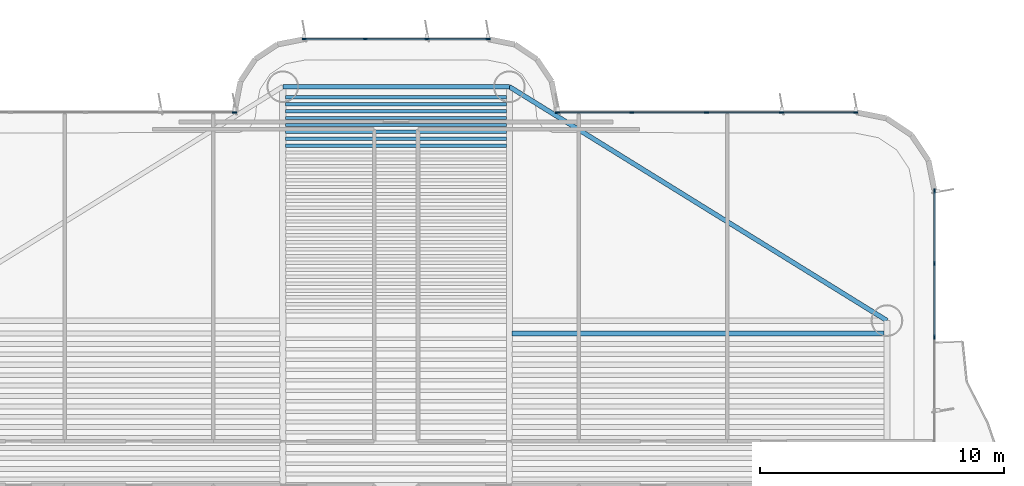
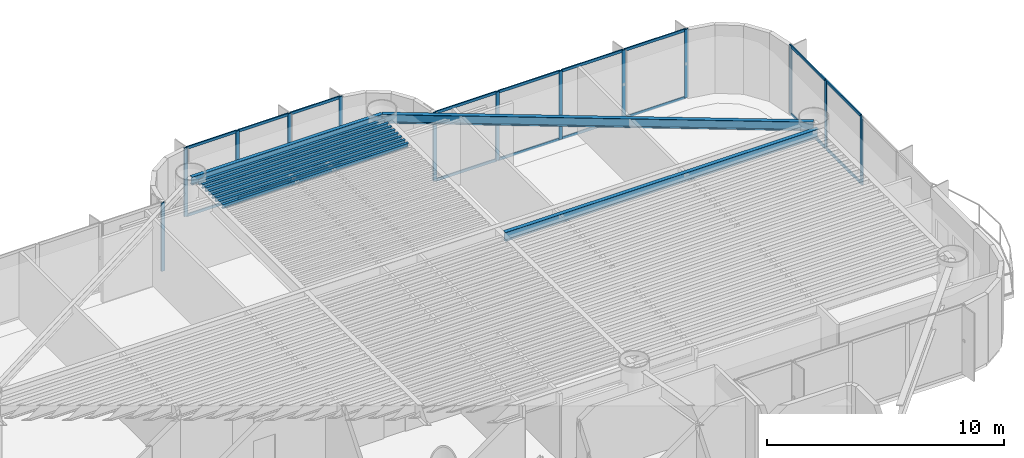
# One storey, part 7 of 16: 31 members, 11 beams, 4 elements without a shape of their own.
"""IFC4 building model written with IfcOpenShell, lengths in metres."""

from ifc_helpers import new_model, si_unit, direction, frame, origin, origin_2d, place, context, subcontext, project, spatial, rectangle, i_section, extrude, source, transform, mapped, material, layer, layer_set, material_profile, profile_set, type_object, element, aggregate, save


model = new_model("IFC4")

# Units and contexts
model_context = context("Model", 3, precision=1e-05, world=origin(), true_north=direction((0.0, 1.0)))
body_context = subcontext(model_context, "Body", "Model", "MODEL_VIEW")
ifc_project = project(units=[si_unit("LENGTHUNIT", "METRE"), si_unit("AREAUNIT", "SQUARE_METRE"), si_unit("VOLUMEUNIT", "CUBIC_METRE"), si_unit("PLANEANGLEUNIT", "RADIAN"), si_unit("MASSUNIT", "GRAM", prefix="KILO")], contexts=[model_context])

# Site, building, storey
site_placement = place(None, origin())
site = spatial("IfcSite", under=ifc_project, at=site_placement, CompositionType="ELEMENT")
building_placement = place(site_placement, origin())
building = spatial("IfcBuilding", under=site, at=building_placement, Name="Brelvock Crest Care Tower", CompositionType="ELEMENT")
storey_placement = place(building_placement, frame((0.0, 0.0, 108.719970703125)))
storey = spatial("IfcBuildingStorey", under=building, at=storey_placement, Name="L27", CompositionType="ELEMENT", Elevation=108.719970703125)

# Beams
ifc_material_1 = material(Name="Steel Grade 350", Category="steel")
ifc_material_profile_1 = material_profile(ifc_material_1, i_section(OverallWidth=0.177978515625, OverallDepth=0.406005859375, WebThickness=0.0078125, FlangeThickness=0.0126953125, FilletRadius=0.011474609375, at=origin_2d()), Name="410UB59.7")
ifc_profile_set_1 = profile_set([ifc_material_profile_1], Name="Steel Grade 350")
beam_type_1 = type_object("IfcBeamType", Name="BM-SP1", PredefinedType="SPANDREL", material=ifc_profile_set_1)
shared_shape_1 = source(origin(), body_context, "Body", "SweptSolid", [
    extrude(i_section(OverallWidth=0.177978515625, OverallDepth=0.406005859375, WebThickness=0.0078125, FlangeThickness=0.0126953125, FilletRadius=0.011474609375, at=origin_2d()), origin(), (0.0, 0.0, 1.0), 9.2998046875),
])
beam_1_placement = place(storey_placement, frame((31.35009765625, 48.449951171875, 3.3271484375), z_axis=(1.0, 0.0, 0.0), x_axis=(0.0, 1.0, 0.0)))
element("IfcBeam", 1, at=beam_1_placement, inside=storey, type_object=beam_type_1, Name="BM-TWR-L27-08", PredefinedType="SPANDREL", context=body_context, shape_type="MappedRepresentation", body=[
    mapped(shared_shape_1, transform((0.0, 0.0, 0.0), x_axis=(1.0, 0.0, 0.0), y_axis=(0.0, 1.0, 0.0), z_axis=(0.0, 0.0, 1.0), scale=1.0)),
])
ifc_material_profile_2 = material_profile(ifc_material_1, i_section(OverallWidth=0.134033203125, OverallDepth=0.20703125, WebThickness=0.00634765625, FlangeThickness=0.009521484375, FilletRadius=0.0087890625, at=origin_2d()), Name="200UB29.8")
ifc_profile_set_2 = profile_set([ifc_material_profile_2], Name="Steel Grade 350")
beam_type_2 = type_object("IfcBeamType", Name="BM-J4", PredefinedType="JOIST", material=ifc_profile_set_2)
shared_shape_2 = source(origin(), body_context, "Body", "SweptSolid", [
    extrude(i_section(OverallWidth=0.134033203125, OverallDepth=0.20703125, WebThickness=0.00634765625, FlangeThickness=0.009521484375, FilletRadius=0.0087890625, at=origin_2d()), origin(), (0.0, 0.0, 1.0), 9.06982421875),
])
for number, where, z_axis, x_axis, name in (
    (2, (31.465087890625, 46.03076171875, 3.426513671875), (1.0, 0.0, 0.0), (0.0, 1.0, 0.0), "BM-JN-L27-25"),
    (3, (31.465087890625, 46.31396484375, 3.426513671875), (1.0, 0.0, 0.0), (0.0, 1.0, 0.0), "BM-JN-L27-26"),
    (4, (31.465087890625, 46.59716796875, 3.426513671875), (1.0, 0.0, 0.0), (0.0, 1.0, 0.0), "BM-JN-L27-27"),
    (5, (31.465087890625, 46.88037109375, 3.426513671875), (1.0, 0.0, 0.0), (0.0, 1.0, 0.0), "BM-JN-L27-28"),
    (6, (31.465087890625, 47.16357421875, 3.426513671875), (1.0, 0.0, 0.0), (0.0, 1.0, 0.0), "BM-JN-L27-29"),
    (7, (31.465087890625, 47.44677734375, 3.426513671875), (1.0, 0.0, 0.0), (0.0, 1.0, 0.0), "BM-JN-L27-30"),
    (8, (31.465087890625, 47.72998046875, 3.426513671875), (1.0, 0.0, 0.0), (0.0, 1.0, 0.0), "BM-JN-L27-31"),
    (9, (31.465087890625, 48.01318359375, 3.426513671875), (1.0, 0.0, 0.0), (0.0, 1.0, 0.0), "BM-JN-L27-32"),
):
    element("IfcBeam", number, at=place(storey_placement, frame(where, z_axis=z_axis, x_axis=x_axis)), inside=storey, type_object=beam_type_2, Name=name, PredefinedType="JOIST", context=body_context, shape_type="MappedRepresentation", body=[
        mapped(shared_shape_2, transform((0.0, 0.0, 0.0), x_axis=(1.0, 0.0, 0.0), y_axis=(0.0, 1.0, 0.0), z_axis=(0.0, 0.0, 1.0), scale=1.0)),
    ])
ifc_material_profile_3 = material_profile(ifc_material_1, i_section(OverallWidth=0.19091796875, OverallDepth=0.4599609375, WebThickness=0.010009765625, FlangeThickness=0.01611328125, FilletRadius=0.011474609375, at=origin_2d()), Name="460UB82.1")
ifc_profile_set_3 = profile_set([ifc_material_profile_3], Name="Steel Grade 350")
beam_type_3 = type_object("IfcBeamType", Name="BM-G3", PredefinedType="BEAM", material=ifc_profile_set_3)
shared_shape_3 = source(origin(), body_context, "Body", "SweptSolid", [
    extrude(i_section(OverallWidth=0.19091796875, OverallDepth=0.4599609375, WebThickness=0.010009765625, FlangeThickness=0.01611328125, FilletRadius=0.011474609375, at=origin_2d()), origin(), (0.0, 0.0, 1.0), 15.27001953125),
])
beam_2_placement = place(storey_placement, frame((40.764892578125, 38.317626953125, 3.300048828125), z_axis=(1.0, 0.0, 0.0), x_axis=(0.0, 1.0, 0.0)))
element("IfcBeam", 10, at=beam_2_placement, inside=storey, type_object=beam_type_3, Name="BM-JE-L27-26", PredefinedType="BEAM", context=body_context, shape_type="MappedRepresentation", body=[
    mapped(shared_shape_3, transform((0.0, 0.0, 0.0), x_axis=(1.0, 0.0, 0.0), y_axis=(0.0, 1.0, 0.0), z_axis=(0.0, 0.0, 1.0), scale=1.0)),
])
ifc_material_profile_4 = material_profile(ifc_material_1, i_section(OverallWidth=0.19091796875, OverallDepth=0.4599609375, WebThickness=0.010009765625, FlangeThickness=0.01611328125, FilletRadius=0.011474609375, at=origin_2d()), Name="460UB82.1")
ifc_profile_set_4 = profile_set([ifc_material_profile_4], Name="Steel Grade 350")
beam_type_4 = type_object("IfcBeamType", Name="BM-SP2", PredefinedType="SPANDREL", material=ifc_profile_set_4)
shared_shape_4 = source(origin(), body_context, "Body", "SweptSolid", [
    extrude(i_section(OverallWidth=0.19091796875, OverallDepth=0.4599609375, WebThickness=0.010009765625, FlangeThickness=0.01611328125, FilletRadius=0.011474609375, at=origin_2d()), origin(), (0.0, 0.0, 1.0), 18.23193359375),
])
beam_3_placement = place(storey_placement, frame((40.64990234375, 48.449951171875, 3.300048828125), z_axis=(0.85015183248, -0.526537616635, 0.0), x_axis=(0.526537616635, 0.85015183248, 0.0)))
element("IfcBeam", 11, at=beam_3_placement, inside=storey, type_object=beam_type_4, Name="BM-TWR-L27-07", PredefinedType="SPANDREL", context=body_context, shape_type="MappedRepresentation", body=[
    mapped(shared_shape_4, transform((0.0, 0.0, 0.0), x_axis=(1.0, 0.0, 0.0), y_axis=(0.0, 1.0, 0.0), z_axis=(0.0, 0.0, 1.0), scale=1.0)),
])

# Curtain wall, member
ifc_material_2 = material(Name="Dark Glass Double Glazed Low-E", Category="glass")
ifc_layer = layer(ifc_material_2, 0.2099609375, Name="CWS-3")
ifc_layer_set = layer_set([ifc_layer], Name="Dark Glass Double Glazed Low-E")
curtain_wall_type = type_object("IfcCurtainWallType", Name="CWS-3", PredefinedType="NOTDEFINED", material=ifc_layer_set)
curtain_wall_1_placement = place(storey_placement, origin())
curtain_wall_1 = element("IfcCurtainWall", 12, at=curtain_wall_1_placement, inside=storey, type_object=curtain_wall_type, Name="L27 Curtain Wall E22", PredefinedType="NOTDEFINED")
ifc_material_3 = material(Name="Aluminium 6063-T6", Category="aluminium")
ifc_material_profile_5 = material_profile(ifc_material_3, rectangle(XDim=0.06005859375, YDim=0.179931640625, at=origin_2d()), Name="ALU60x180")
ifc_profile_set_5 = profile_set([ifc_material_profile_5], Name="Aluminium 6063-T6")
member_type_1 = type_object("IfcMemberType", Name="CWM-2", PredefinedType="MULLION", material=ifc_profile_set_5)
shared_shape_5 = source(origin(), body_context, "Body", "SweptSolid", [
    extrude(rectangle(XDim=0.06005859375, YDim=0.179931640625, at=origin_2d()), origin(), (0.0, 0.0, 1.0), 3.530029296875),
])
member_1_placement = place(storey_placement, frame((29.3701171875, 47.39990234375, 0.0), z_axis=(0.0, 0.0, 1.0), x_axis=(0.0, 1.0, 0.0)))
member_1 = element("IfcMember", 13, at=member_1_placement, type_object=member_type_1, Name="CW-3 mullion 5", PredefinedType="MULLION", context=body_context, shape_type="MappedRepresentation", body=[
    mapped(shared_shape_5, transform((0.0, 0.0, 0.0), x_axis=(1.0, 0.0, 0.0), y_axis=(0.0, 1.0, 0.0), z_axis=(0.0, 0.0, 1.0), scale=1.0)),
])
aggregate(curtain_wall_1, [member_1])

# Curtain wall, members
curtain_wall_2_placement = place(storey_placement, origin())
curtain_wall_2 = element("IfcCurtainWall", 14, at=curtain_wall_2_placement, inside=storey, type_object=curtain_wall_type, Name="L27 Curtain Wall E28", PredefinedType="NOTDEFINED")
member_2_placement = place(storey_placement, frame((32.22998046875, 50.39990234375, 0.0), z_axis=(0.0, 0.0, 1.0), x_axis=(0.0, 1.0, 0.0)))
member_2 = element("IfcMember", 15, at=member_2_placement, type_object=member_type_1, Name="CW-3 mullion 1", PredefinedType="MULLION", context=body_context, shape_type="MappedRepresentation", body=[
    mapped(shared_shape_5, transform((0.0, 0.0, 0.0), x_axis=(1.0, 0.0, 0.0), y_axis=(0.0, 1.0, 0.0), z_axis=(0.0, 0.0, 1.0), scale=1.0)),
])
member_3_placement = place(storey_placement, frame((34.7333984375, 50.39990234375, 0.0), z_axis=(0.0, 0.0, 1.0), x_axis=(0.0, 1.0, 0.0)))
member_3 = element("IfcMember", 16, at=member_3_placement, type_object=member_type_1, Name="CW-3 mullion 2", PredefinedType="MULLION", context=body_context, shape_type="MappedRepresentation", body=[
    mapped(shared_shape_5, transform((0.0, 0.0, 0.0), x_axis=(1.0, 0.0, 0.0), y_axis=(0.0, 1.0, 0.0), z_axis=(0.0, 0.0, 1.0), scale=1.0)),
])
member_4_placement = place(storey_placement, frame((37.2666015625, 50.39990234375, 0.0), z_axis=(0.0, 0.0, 1.0), x_axis=(0.0, 1.0, 0.0)))
member_4 = element("IfcMember", 17, at=member_4_placement, type_object=member_type_1, Name="CW-3 mullion 3", PredefinedType="MULLION", context=body_context, shape_type="MappedRepresentation", body=[
    mapped(shared_shape_5, transform((0.0, 0.0, 0.0), x_axis=(1.0, 0.0, 0.0), y_axis=(0.0, 1.0, 0.0), z_axis=(0.0, 0.0, 1.0), scale=1.0)),
])
member_5_placement = place(storey_placement, frame((39.77001953125, 50.39990234375, 0.0), z_axis=(0.0, 0.0, 1.0), x_axis=(0.0, 1.0, 0.0)))
member_5 = element("IfcMember", 18, at=member_5_placement, type_object=member_type_1, Name="CW-3 mullion 4", PredefinedType="MULLION", context=body_context, shape_type="MappedRepresentation", body=[
    mapped(shared_shape_5, transform((0.0, 0.0, 0.0), x_axis=(1.0, 0.0, 0.0), y_axis=(0.0, 1.0, 0.0), z_axis=(0.0, 0.0, 1.0), scale=1.0)),
])

curtain_wall_3_placement = place(storey_placement, origin())
curtain_wall_3 = element("IfcCurtainWall", 19, at=curtain_wall_3_placement, inside=storey, type_object=curtain_wall_type, Name="L27 Curtain Wall E34", PredefinedType="NOTDEFINED")
member_6_placement = place(storey_placement, frame((42.6298828125, 47.39990234375, 0.0), z_axis=(0.0, 0.0, 1.0), x_axis=(0.0, 1.0, 0.0)))
member_6 = element("IfcMember", 20, at=member_6_placement, type_object=member_type_1, Name="CW-3 mullion 1", PredefinedType="MULLION", context=body_context, shape_type="MappedRepresentation", body=[
    mapped(shared_shape_5, transform((0.0, 0.0, 0.0), x_axis=(1.0, 0.0, 0.0), y_axis=(0.0, 1.0, 0.0), z_axis=(0.0, 0.0, 1.0), scale=1.0)),
])
member_7_placement = place(storey_placement, frame((45.675048828125, 47.39990234375, 0.0), z_axis=(0.0, 0.0, 1.0), x_axis=(0.0, 1.0, 0.0)))
member_7 = element("IfcMember", 21, at=member_7_placement, type_object=member_type_1, Name="CW-3 mullion 2", PredefinedType="MULLION", context=body_context, shape_type="MappedRepresentation", body=[
    mapped(shared_shape_5, transform((0.0, 0.0, 0.0), x_axis=(1.0, 0.0, 0.0), y_axis=(0.0, 1.0, 0.0), z_axis=(0.0, 0.0, 1.0), scale=1.0)),
])
member_8_placement = place(storey_placement, frame((48.75, 47.39990234375, 0.0), z_axis=(0.0, 0.0, 1.0), x_axis=(0.0, 1.0, 0.0)))
member_8 = element("IfcMember", 22, at=member_8_placement, type_object=member_type_1, Name="CW-3 mullion 3", PredefinedType="MULLION", context=body_context, shape_type="MappedRepresentation", body=[
    mapped(shared_shape_5, transform((0.0, 0.0, 0.0), x_axis=(1.0, 0.0, 0.0), y_axis=(0.0, 1.0, 0.0), z_axis=(0.0, 0.0, 1.0), scale=1.0)),
])
member_9_placement = place(storey_placement, frame((51.824951171875, 47.39990234375, 0.0), z_axis=(0.0, 0.0, 1.0), x_axis=(0.0, 1.0, 0.0)))
member_9 = element("IfcMember", 23, at=member_9_placement, type_object=member_type_1, Name="CW-3 mullion 4", PredefinedType="MULLION", context=body_context, shape_type="MappedRepresentation", body=[
    mapped(shared_shape_5, transform((0.0, 0.0, 0.0), x_axis=(1.0, 0.0, 0.0), y_axis=(0.0, 1.0, 0.0), z_axis=(0.0, 0.0, 1.0), scale=1.0)),
])
member_10_placement = place(storey_placement, frame((54.8701171875, 47.39990234375, 0.0), z_axis=(0.0, 0.0, 1.0), x_axis=(0.0, 1.0, 0.0)))
member_10 = element("IfcMember", 24, at=member_10_placement, type_object=member_type_1, Name="CW-3 mullion 5", PredefinedType="MULLION", context=body_context, shape_type="MappedRepresentation", body=[
    mapped(shared_shape_5, transform((0.0, 0.0, 0.0), x_axis=(1.0, 0.0, 0.0), y_axis=(0.0, 1.0, 0.0), z_axis=(0.0, 0.0, 1.0), scale=1.0)),
])

curtain_wall_4_placement = place(storey_placement, origin())
curtain_wall_4 = element("IfcCurtainWall", 25, at=curtain_wall_4_placement, inside=storey, type_object=curtain_wall_type, Name="L27 Curtain Wall E39A", PredefinedType="NOTDEFINED")
member_11_placement = place(storey_placement, frame((58.10009765625, 44.169921875, 0.0), z_axis=(0.0, 0.0, 1.0), x_axis=(1.0, 0.0, 0.0)))
member_11 = element("IfcMember", 26, at=member_11_placement, type_object=member_type_1, Name="CW-3 mullion 1", PredefinedType="MULLION", context=body_context, shape_type="MappedRepresentation", body=[
    mapped(shared_shape_5, transform((0.0, 0.0, 0.0), x_axis=(1.0, 0.0, 0.0), y_axis=(0.0, 1.0, 0.0), z_axis=(0.0, 0.0, 1.0), scale=1.0)),
])
member_12_placement = place(storey_placement, frame((58.10009765625, 41.1875, 0.0), z_axis=(0.0, 0.0, 1.0), x_axis=(1.0, 0.0, 0.0)))
member_12 = element("IfcMember", 27, at=member_12_placement, type_object=member_type_1, Name="CW-3 mullion 2", PredefinedType="MULLION", context=body_context, shape_type="MappedRepresentation", body=[
    mapped(shared_shape_5, transform((0.0, 0.0, 0.0), x_axis=(1.0, 0.0, 0.0), y_axis=(0.0, 1.0, 0.0), z_axis=(0.0, 0.0, 1.0), scale=1.0)),
])
member_13_placement = place(storey_placement, frame((58.10009765625, 38.175048828125, 0.0), z_axis=(0.0, 0.0, 1.0), x_axis=(1.0, 0.0, 0.0)))
member_13 = element("IfcMember", 28, at=member_13_placement, type_object=member_type_1, Name="CW-3 mullion 3", PredefinedType="MULLION", context=body_context, shape_type="MappedRepresentation", body=[
    mapped(shared_shape_5, transform((0.0, 0.0, 0.0), x_axis=(1.0, 0.0, 0.0), y_axis=(0.0, 1.0, 0.0), z_axis=(0.0, 0.0, 1.0), scale=1.0)),
])
ifc_material_profile_6 = material_profile(ifc_material_3, rectangle(XDim=0.06005859375, YDim=0.139892578125, at=origin_2d()), Name="ALU60x140")
ifc_profile_set_6 = profile_set([ifc_material_profile_6], Name="Aluminium 6063-T6")
member_type_2 = type_object("IfcMemberType", Name="CWT-2", PredefinedType="USERDEFINED", material=ifc_profile_set_6)
shared_shape_6 = source(origin(), body_context, "Body", "SweptSolid", [
    extrude(rectangle(XDim=0.06005859375, YDim=0.139892578125, at=origin_2d()), origin(), (0.0, 0.0, 1.0), 2.952392578125),
])
member_14_placement = place(storey_placement, frame((58.10009765625, 41.157470703125, 0.030029296875), z_axis=(0.0, -1.0, 0.0), x_axis=(1.0, 0.0, 0.0)))
member_14 = element("IfcMember", 29, at=member_14_placement, type_object=member_type_2, Name="CW-3 transom 2.1", ObjectType="TRANSOM", PredefinedType="USERDEFINED", context=body_context, shape_type="MappedRepresentation", body=[
    mapped(shared_shape_6, transform((0.0, 0.0, 0.0), x_axis=(1.0, 0.0, 0.0), y_axis=(0.0, 1.0, 0.0), z_axis=(0.0, 0.0, 1.0), scale=1.0)),
])
member_15_placement = place(storey_placement, frame((58.10009765625, 41.157470703125, 3.5), z_axis=(0.0, -1.0, 0.0), x_axis=(1.0, 0.0, 0.0)))
member_15 = element("IfcMember", 30, at=member_15_placement, type_object=member_type_2, Name="CW-3 transom 2.2", ObjectType="TRANSOM", PredefinedType="USERDEFINED", context=body_context, shape_type="MappedRepresentation", body=[
    mapped(shared_shape_6, transform((0.0, 0.0, 0.0), x_axis=(1.0, 0.0, 0.0), y_axis=(0.0, 1.0, 0.0), z_axis=(0.0, 0.0, 1.0), scale=1.0)),
])
shared_shape_7 = source(origin(), body_context, "Body", "SweptSolid", [
    extrude(rectangle(XDim=0.06005859375, YDim=0.139892578125, at=origin_2d()), origin(), (0.0, 0.0, 1.0), 2.92236328125),
])
member_16_placement = place(storey_placement, frame((58.10009765625, 44.139892578125, 0.030029296875), z_axis=(0.0, -1.0, 0.0), x_axis=(1.0, 0.0, 0.0)))
member_16 = element("IfcMember", 31, at=member_16_placement, type_object=member_type_2, Name="CW-3 transom 1.1", ObjectType="TRANSOM", PredefinedType="USERDEFINED", context=body_context, shape_type="MappedRepresentation", body=[
    mapped(shared_shape_7, transform((0.0, 0.0, 0.0), x_axis=(1.0, 0.0, 0.0), y_axis=(0.0, 1.0, 0.0), z_axis=(0.0, 0.0, 1.0), scale=1.0)),
])
member_17_placement = place(storey_placement, frame((58.10009765625, 44.139892578125, 3.5), z_axis=(0.0, -1.0, 0.0), x_axis=(1.0, 0.0, 0.0)))
member_17 = element("IfcMember", 32, at=member_17_placement, type_object=member_type_2, Name="CW-3 transom 1.2", ObjectType="TRANSOM", PredefinedType="USERDEFINED", context=body_context, shape_type="MappedRepresentation", body=[
    mapped(shared_shape_7, transform((0.0, 0.0, 0.0), x_axis=(1.0, 0.0, 0.0), y_axis=(0.0, 1.0, 0.0), z_axis=(0.0, 0.0, 1.0), scale=1.0)),
])
aggregate(curtain_wall_4, [member_11, member_12, member_13, member_16, member_17, member_14, member_15])

# Member
shared_shape_8 = source(origin(), body_context, "Body", "SweptSolid", [
    extrude(rectangle(XDim=0.06005859375, YDim=0.139892578125, at=origin_2d()), origin(), (0.0, 0.0, 1.0), 2.985107421875),
])
member_18_placement = place(storey_placement, frame((42.659912109375, 47.39990234375, 0.030029296875), z_axis=(1.0, 0.0, 0.0), x_axis=(0.0, 1.0, 0.0)))
member_18 = element("IfcMember", 33, at=member_18_placement, type_object=member_type_2, Name="CW-3 transom 1.1", ObjectType="TRANSOM", PredefinedType="USERDEFINED", context=body_context, shape_type="MappedRepresentation", body=[
    mapped(shared_shape_8, transform((0.0, 0.0, 0.0), x_axis=(1.0, 0.0, 0.0), y_axis=(0.0, 1.0, 0.0), z_axis=(0.0, 0.0, 1.0), scale=1.0)),
])

member_19_placement = place(storey_placement, frame((42.659912109375, 47.39990234375, 3.5), z_axis=(1.0, 0.0, 0.0), x_axis=(0.0, 1.0, 0.0)))
member_19 = element("IfcMember", 34, at=member_19_placement, type_object=member_type_2, Name="CW-3 transom 1.2", ObjectType="TRANSOM", PredefinedType="USERDEFINED", context=body_context, shape_type="MappedRepresentation", body=[
    mapped(shared_shape_8, transform((0.0, 0.0, 0.0), x_axis=(1.0, 0.0, 0.0), y_axis=(0.0, 1.0, 0.0), z_axis=(0.0, 0.0, 1.0), scale=1.0)),
])

member_20_placement = place(storey_placement, frame((51.85498046875, 47.39990234375, 0.030029296875), z_axis=(1.0, 0.0, 0.0), x_axis=(0.0, 1.0, 0.0)))
member_20 = element("IfcMember", 35, at=member_20_placement, type_object=member_type_2, Name="CW-3 transom 4.1", ObjectType="TRANSOM", PredefinedType="USERDEFINED", context=body_context, shape_type="MappedRepresentation", body=[
    mapped(shared_shape_8, transform((0.0, 0.0, 0.0), x_axis=(1.0, 0.0, 0.0), y_axis=(0.0, 1.0, 0.0), z_axis=(0.0, 0.0, 1.0), scale=1.0)),
])

member_21_placement = place(storey_placement, frame((51.85498046875, 47.39990234375, 3.5), z_axis=(1.0, 0.0, 0.0), x_axis=(0.0, 1.0, 0.0)))
member_21 = element("IfcMember", 36, at=member_21_placement, type_object=member_type_2, Name="CW-3 transom 4.2", ObjectType="TRANSOM", PredefinedType="USERDEFINED", context=body_context, shape_type="MappedRepresentation", body=[
    mapped(shared_shape_8, transform((0.0, 0.0, 0.0), x_axis=(1.0, 0.0, 0.0), y_axis=(0.0, 1.0, 0.0), z_axis=(0.0, 0.0, 1.0), scale=1.0)),
])

shared_shape_9 = source(origin(), body_context, "Body", "SweptSolid", [
    extrude(rectangle(XDim=0.06005859375, YDim=0.139892578125, at=origin_2d()), origin(), (0.0, 0.0, 1.0), 3.014892578125),
])
member_22_placement = place(storey_placement, frame((45.705078125, 47.39990234375, 0.030029296875), z_axis=(1.0, 0.0, 0.0), x_axis=(0.0, 1.0, 0.0)))
member_22 = element("IfcMember", 37, at=member_22_placement, type_object=member_type_2, Name="CW-3 transom 2.1", ObjectType="TRANSOM", PredefinedType="USERDEFINED", context=body_context, shape_type="MappedRepresentation", body=[
    mapped(shared_shape_9, transform((0.0, 0.0, 0.0), x_axis=(1.0, 0.0, 0.0), y_axis=(0.0, 1.0, 0.0), z_axis=(0.0, 0.0, 1.0), scale=1.0)),
])

member_23_placement = place(storey_placement, frame((45.705078125, 47.39990234375, 3.5), z_axis=(1.0, 0.0, 0.0), x_axis=(0.0, 1.0, 0.0)))
member_23 = element("IfcMember", 38, at=member_23_placement, type_object=member_type_2, Name="CW-3 transom 2.2", ObjectType="TRANSOM", PredefinedType="USERDEFINED", context=body_context, shape_type="MappedRepresentation", body=[
    mapped(shared_shape_9, transform((0.0, 0.0, 0.0), x_axis=(1.0, 0.0, 0.0), y_axis=(0.0, 1.0, 0.0), z_axis=(0.0, 0.0, 1.0), scale=1.0)),
])

member_24_placement = place(storey_placement, frame((48.780029296875, 47.39990234375, 0.030029296875), z_axis=(1.0, 0.0, 0.0), x_axis=(0.0, 1.0, 0.0)))
member_24 = element("IfcMember", 39, at=member_24_placement, type_object=member_type_2, Name="CW-3 transom 3.1", ObjectType="TRANSOM", PredefinedType="USERDEFINED", context=body_context, shape_type="MappedRepresentation", body=[
    mapped(shared_shape_9, transform((0.0, 0.0, 0.0), x_axis=(1.0, 0.0, 0.0), y_axis=(0.0, 1.0, 0.0), z_axis=(0.0, 0.0, 1.0), scale=1.0)),
])

member_25_placement = place(storey_placement, frame((48.780029296875, 47.39990234375, 3.5), z_axis=(1.0, 0.0, 0.0), x_axis=(0.0, 1.0, 0.0)))
member_25 = element("IfcMember", 40, at=member_25_placement, type_object=member_type_2, Name="CW-3 transom 3.2", ObjectType="TRANSOM", PredefinedType="USERDEFINED", context=body_context, shape_type="MappedRepresentation", body=[
    mapped(shared_shape_9, transform((0.0, 0.0, 0.0), x_axis=(1.0, 0.0, 0.0), y_axis=(0.0, 1.0, 0.0), z_axis=(0.0, 0.0, 1.0), scale=1.0)),
])

aggregate(curtain_wall_3, [member_6, member_7, member_8, member_9, member_10, member_18, member_19, member_22, member_23, member_24, member_25, member_20, member_21])

shared_shape_10 = source(origin(), body_context, "Body", "SweptSolid", [
    extrude(rectangle(XDim=0.06005859375, YDim=0.139892578125, at=origin_2d()), origin(), (0.0, 0.0, 1.0), 2.443359375),
])
member_26_placement = place(storey_placement, frame((32.260009765625, 50.39990234375, 0.030029296875), z_axis=(1.0, 0.0, 0.0), x_axis=(0.0, 1.0, 0.0)))
member_26 = element("IfcMember", 41, at=member_26_placement, type_object=member_type_2, Name="CW-3 transom 1.1", ObjectType="TRANSOM", PredefinedType="USERDEFINED", context=body_context, shape_type="MappedRepresentation", body=[
    mapped(shared_shape_10, transform((0.0, 0.0, 0.0), x_axis=(1.0, 0.0, 0.0), y_axis=(0.0, 1.0, 0.0), z_axis=(0.0, 0.0, 1.0), scale=1.0)),
])

member_27_placement = place(storey_placement, frame((32.260009765625, 50.39990234375, 3.5), z_axis=(1.0, 0.0, 0.0), x_axis=(0.0, 1.0, 0.0)))
member_27 = element("IfcMember", 42, at=member_27_placement, type_object=member_type_2, Name="CW-3 transom 1.2", ObjectType="TRANSOM", PredefinedType="USERDEFINED", context=body_context, shape_type="MappedRepresentation", body=[
    mapped(shared_shape_10, transform((0.0, 0.0, 0.0), x_axis=(1.0, 0.0, 0.0), y_axis=(0.0, 1.0, 0.0), z_axis=(0.0, 0.0, 1.0), scale=1.0)),
])

member_28_placement = place(storey_placement, frame((37.296630859375, 50.39990234375, 0.030029296875), z_axis=(1.0, 0.0, 0.0), x_axis=(0.0, 1.0, 0.0)))
member_28 = element("IfcMember", 43, at=member_28_placement, type_object=member_type_2, Name="CW-3 transom 3.1", ObjectType="TRANSOM", PredefinedType="USERDEFINED", context=body_context, shape_type="MappedRepresentation", body=[
    mapped(shared_shape_10, transform((0.0, 0.0, 0.0), x_axis=(1.0, 0.0, 0.0), y_axis=(0.0, 1.0, 0.0), z_axis=(0.0, 0.0, 1.0), scale=1.0)),
])

member_29_placement = place(storey_placement, frame((37.296630859375, 50.39990234375, 3.5), z_axis=(1.0, 0.0, 0.0), x_axis=(0.0, 1.0, 0.0)))
member_29 = element("IfcMember", 44, at=member_29_placement, type_object=member_type_2, Name="CW-3 transom 3.2", ObjectType="TRANSOM", PredefinedType="USERDEFINED", context=body_context, shape_type="MappedRepresentation", body=[
    mapped(shared_shape_10, transform((0.0, 0.0, 0.0), x_axis=(1.0, 0.0, 0.0), y_axis=(0.0, 1.0, 0.0), z_axis=(0.0, 0.0, 1.0), scale=1.0)),
])

shared_shape_11 = source(origin(), body_context, "Body", "SweptSolid", [
    extrude(rectangle(XDim=0.06005859375, YDim=0.139892578125, at=origin_2d()), origin(), (0.0, 0.0, 1.0), 2.47314453125),
])
member_30_placement = place(storey_placement, frame((34.763427734375, 50.39990234375, 0.030029296875), z_axis=(1.0, 0.0, 0.0), x_axis=(0.0, 1.0, 0.0)))
member_30 = element("IfcMember", 45, at=member_30_placement, type_object=member_type_2, Name="CW-3 transom 2.1", ObjectType="TRANSOM", PredefinedType="USERDEFINED", context=body_context, shape_type="MappedRepresentation", body=[
    mapped(shared_shape_11, transform((0.0, 0.0, 0.0), x_axis=(1.0, 0.0, 0.0), y_axis=(0.0, 1.0, 0.0), z_axis=(0.0, 0.0, 1.0), scale=1.0)),
])

member_31_placement = place(storey_placement, frame((34.763427734375, 50.39990234375, 3.5), z_axis=(1.0, 0.0, 0.0), x_axis=(0.0, 1.0, 0.0)))
member_31 = element("IfcMember", 46, at=member_31_placement, type_object=member_type_2, Name="CW-3 transom 2.2", ObjectType="TRANSOM", PredefinedType="USERDEFINED", context=body_context, shape_type="MappedRepresentation", body=[
    mapped(shared_shape_11, transform((0.0, 0.0, 0.0), x_axis=(1.0, 0.0, 0.0), y_axis=(0.0, 1.0, 0.0), z_axis=(0.0, 0.0, 1.0), scale=1.0)),
])

aggregate(curtain_wall_2, [member_2, member_3, member_4, member_5, member_26, member_27, member_30, member_31, member_28, member_29])

save(model, "model.ifc")
